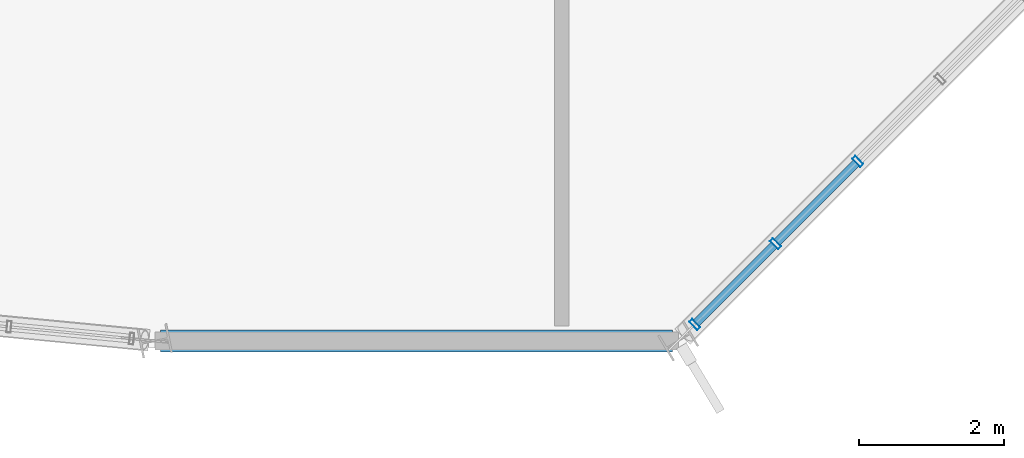
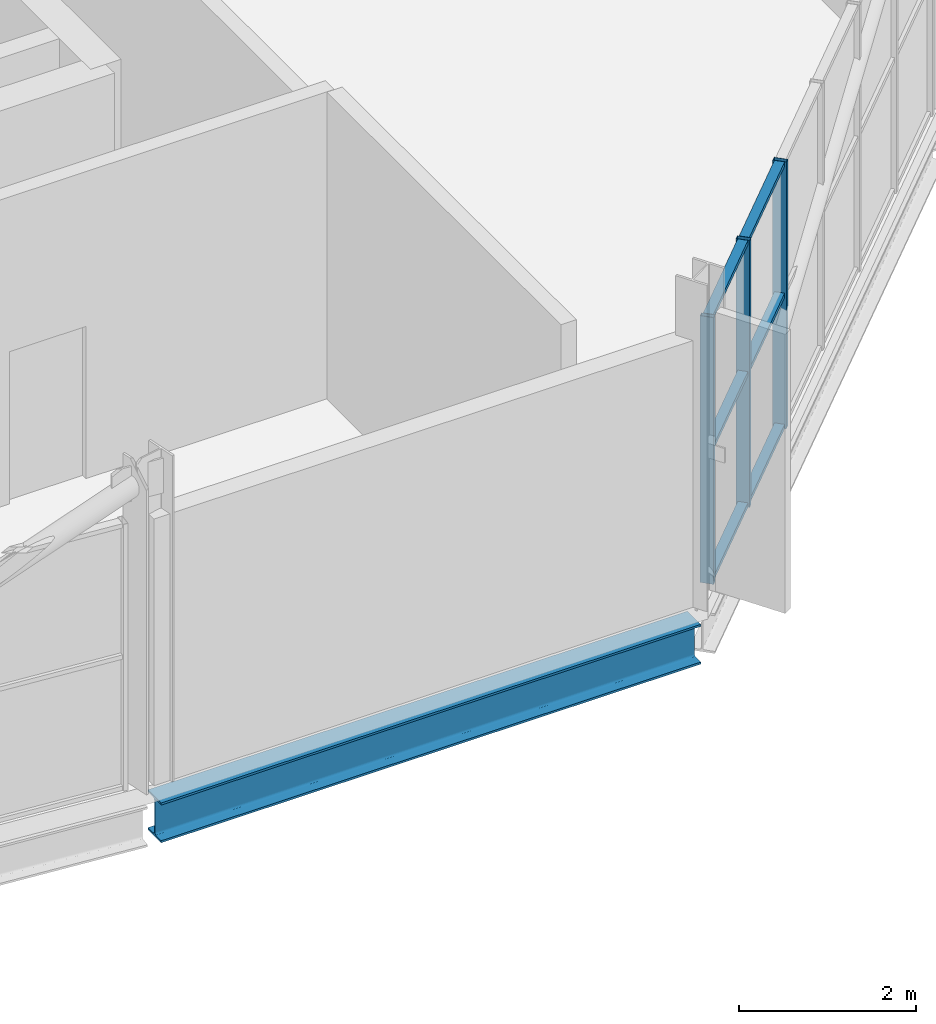
# One storey, part 6 of 22: 9 members, 1 beam, 1 element without a shape of its own.
"""IFC4 building model written with IfcOpenShell, lengths in metres."""

from ifc_helpers import new_model, si_unit, direction, frame, origin, origin_2d, place, context, subcontext, project, spatial, hollow_rectangle, i_section, extrude, material, layer, layer_set, material_profile, profile_set, type_object, element, aggregate, save


model = new_model("IFC4")

# Units and contexts
model_context = context("Model", 3, precision=1e-05, world=origin(), true_north=direction((0.0, 1.0)))
body_context = subcontext(model_context, "Body", "Model", "MODEL_VIEW")
ifc_project = project(units=[si_unit("LENGTHUNIT", "METRE"), si_unit("AREAUNIT", "SQUARE_METRE"), si_unit("VOLUMEUNIT", "CUBIC_METRE"), si_unit("PLANEANGLEUNIT", "RADIAN"), si_unit("MASSUNIT", "GRAM", prefix="KILO")], contexts=[model_context])

# Site, building, storey
site_placement = place(None, origin())
site = spatial("IfcSite", under=ifc_project, at=site_placement, CompositionType="ELEMENT")
building_placement = place(site_placement, origin())
building = spatial("IfcBuilding", under=site, at=building_placement, Name="Solnavia Interchange Tower", CompositionType="ELEMENT")
storey_placement = place(building_placement, frame((0.0, 0.0, 317.699951171875)))
storey = spatial("IfcBuildingStorey", under=building, at=storey_placement, Name="C04", CompositionType="ELEMENT", Elevation=317.699951171875)

# Curtain wall, members
ifc_material_1 = material(Name="Aluminium Alloy 6063-T6", Category="aluminium")
ifc_layer = layer(ifc_material_1, 0.179931640625)
ifc_layer_set = layer_set([ifc_layer], Name="Aluminium Alloy 6063-T6")
curtain_wall_type = type_object("IfcCurtainWallType", Name="CurtainWall-Crown-CTW6", PredefinedType="NOTDEFINED", material=ifc_layer_set)
curtain_wall_placement = place(storey_placement, origin())
curtain_wall = element("IfcCurtainWall", 1, at=curtain_wall_placement, inside=storey, type_object=curtain_wall_type, Name="CTW-C04-R15 CTW-6 curtain wall", PredefinedType="NOTDEFINED")
ifc_material_profile_1 = material_profile(ifc_material_1, hollow_rectangle(XDim=0.06005859375, YDim=0.159912109375, WallThickness=0.00390625, at=origin_2d()), Name="ALU 160x60x4")
ifc_profile_set_1 = profile_set([ifc_material_profile_1], Name="Aluminium Alloy 6063-T6")
member_type_1 = type_object("IfcMemberType", Name="CW-Mullion-CWM-6", PredefinedType="MULLION", material=ifc_profile_set_1)
member_1_placement = place(storey_placement, frame((36.22509765625, 3.8251953125, 0.0), z_axis=(0.0, 0.0, 1.0), x_axis=(0.707106781187, 0.707106781187, 0.0)))
member_1 = element("IfcMember", 2, at=member_1_placement, type_object=member_type_1, Name="CTW-6 mullion 1", PredefinedType="MULLION", context=body_context, shape_type="SweptSolid", body=[
    extrude(hollow_rectangle(XDim=0.06005859375, YDim=0.159912109375, WallThickness=0.00390625, at=origin_2d()), origin(), (0.0, 0.0, 1.0), 3.679931640625),
])
member_2_placement = place(storey_placement, frame((37.3359375, 4.93603515625, 0.0), z_axis=(0.0, 0.0, 1.0), x_axis=(0.707106781187, 0.707106781187, 0.0)))
member_2 = element("IfcMember", 3, at=member_2_placement, type_object=member_type_1, Name="CTW-6 mullion 2", PredefinedType="MULLION", context=body_context, shape_type="SweptSolid", body=[
    extrude(hollow_rectangle(XDim=0.06005859375, YDim=0.159912109375, WallThickness=0.00390625, at=origin_2d()), origin(), (0.0, 0.0, 1.0), 3.679931640625),
])
member_3_placement = place(storey_placement, frame((38.468017578125, 6.068115234375, 0.0), z_axis=(0.0, 0.0, 1.0), x_axis=(0.707106781187, 0.707106781187, 0.0)))
member_3 = element("IfcMember", 4, at=member_3_placement, type_object=member_type_1, Name="CTW-6 mullion 3", PredefinedType="MULLION", context=body_context, shape_type="SweptSolid", body=[
    extrude(hollow_rectangle(XDim=0.06005859375, YDim=0.159912109375, WallThickness=0.00390625, at=origin_2d()), origin(), (0.0, 0.0, 1.0), 3.679931640625),
])
ifc_material_profile_2 = material_profile(ifc_material_1, hollow_rectangle(XDim=0.06005859375, YDim=0.1201171875, WallThickness=0.00390625, at=origin_2d()), Name="ALU 120x60x4")
ifc_profile_set_2 = profile_set([ifc_material_profile_2], Name="Aluminium Alloy 6063-T6")
member_type_2 = type_object("IfcMemberType", Name="CW-Transom-CWT-6", PredefinedType="USERDEFINED", material=ifc_profile_set_2)
member_4_placement = place(storey_placement, frame((36.246337890625, 3.846435546875, 0.030029296875), z_axis=(0.707106781187, 0.707106781187, 0.0), x_axis=(0.0, 0.0, 1.0)))
member_4 = element("IfcMember", 5, at=member_4_placement, type_object=member_type_2, Name="CTW-6 transom 1.1", ObjectType="TRANSOM", PredefinedType="USERDEFINED", context=body_context, shape_type="SweptSolid", body=[
    extrude(hollow_rectangle(XDim=0.06005859375, YDim=0.1201171875, WallThickness=0.00390625, at=origin_2d()), origin(), (0.0, 0.0, 1.0), 1.510986328125),
])
member_5_placement = place(storey_placement, frame((36.246337890625, 3.846435546875, 1.840087890625), z_axis=(0.707106781187, 0.707106781187, 0.0), x_axis=(0.0, 0.0, 1.0)))
member_5 = element("IfcMember", 6, at=member_5_placement, type_object=member_type_2, Name="CTW-6 transom 1.2", ObjectType="TRANSOM", PredefinedType="USERDEFINED", context=body_context, shape_type="SweptSolid", body=[
    extrude(hollow_rectangle(XDim=0.06005859375, YDim=0.1201171875, WallThickness=0.00390625, at=origin_2d()), origin(), (0.0, 0.0, 1.0), 1.510986328125),
])
member_6_placement = place(storey_placement, frame((36.246337890625, 3.846435546875, 3.650146484375), z_axis=(0.707106781187, 0.707106781187, 0.0), x_axis=(0.0, 0.0, 1.0)))
member_6 = element("IfcMember", 7, at=member_6_placement, type_object=member_type_2, Name="CTW-6 transom 1.3", ObjectType="TRANSOM", PredefinedType="USERDEFINED", context=body_context, shape_type="SweptSolid", body=[
    extrude(hollow_rectangle(XDim=0.06005859375, YDim=0.1201171875, WallThickness=0.00390625, at=origin_2d()), origin(), (0.0, 0.0, 1.0), 1.510986328125),
])
member_7_placement = place(storey_placement, frame((37.357177734375, 4.957275390625, 0.030029296875), z_axis=(0.707106781187, 0.707106781187, 0.0), x_axis=(0.0, 0.0, 1.0)))
member_7 = element("IfcMember", 8, at=member_7_placement, type_object=member_type_2, Name="CTW-6 transom 2.1", ObjectType="TRANSOM", PredefinedType="USERDEFINED", context=body_context, shape_type="SweptSolid", body=[
    extrude(hollow_rectangle(XDim=0.06005859375, YDim=0.1201171875, WallThickness=0.00390625, at=origin_2d()), origin(), (0.0, 0.0, 1.0), 1.541015625),
])
member_8_placement = place(storey_placement, frame((37.357177734375, 4.957275390625, 1.840087890625), z_axis=(0.707106781187, 0.707106781187, 0.0), x_axis=(0.0, 0.0, 1.0)))
member_8 = element("IfcMember", 9, at=member_8_placement, type_object=member_type_2, Name="CTW-6 transom 2.2", ObjectType="TRANSOM", PredefinedType="USERDEFINED", context=body_context, shape_type="SweptSolid", body=[
    extrude(hollow_rectangle(XDim=0.06005859375, YDim=0.1201171875, WallThickness=0.00390625, at=origin_2d()), origin(), (0.0, 0.0, 1.0), 1.541015625),
])
member_9_placement = place(storey_placement, frame((37.357177734375, 4.957275390625, 3.650146484375), z_axis=(0.707106781187, 0.707106781187, 0.0), x_axis=(0.0, 0.0, 1.0)))
member_9 = element("IfcMember", 10, at=member_9_placement, type_object=member_type_2, Name="CTW-6 transom 2.3", ObjectType="TRANSOM", PredefinedType="USERDEFINED", context=body_context, shape_type="SweptSolid", body=[
    extrude(hollow_rectangle(XDim=0.06005859375, YDim=0.1201171875, WallThickness=0.00390625, at=origin_2d()), origin(), (0.0, 0.0, 1.0), 1.541015625),
])
aggregate(curtain_wall, [member_1, member_2, member_3, member_4, member_5, member_6, member_7, member_8, member_9])

# Beam
ifc_material_2 = material(Name="Steel S460", Category="steel")
ifc_material_profile_3 = material_profile(ifc_material_2, i_section(OverallWidth=0.300048828125, OverallDepth=0.550048828125, WebThickness=0.014892578125, FlangeThickness=0.029052734375, FilletRadius=0.027099609375, at=origin_2d()), Name="HEB 550")
ifc_profile_set_3 = profile_set([ifc_material_profile_3], Name="Steel S460")
beam_type = type_object("IfcBeamType", Name="CrownFrame-Ring-HEB550", PredefinedType="BEAM", material=ifc_profile_set_3)
beam_placement = place(storey_placement, frame((28.8798828125, 3.60009765625, -0.52490234375), z_axis=(1.0, 0.0, 0.0), x_axis=(0.0, 1.0, 0.0)))
element("IfcBeam", 11, at=beam_placement, inside=storey, type_object=beam_type, Name="GRD-C04-CR14 CROWN FRAME outer collar ring beam", PredefinedType="BEAM", context=body_context, shape_type="SweptSolid", body=[
    extrude(i_section(OverallWidth=0.300048828125, OverallDepth=0.550048828125, WebThickness=0.014892578125, FlangeThickness=0.029052734375, FilletRadius=0.027099609375, at=origin_2d()), origin(), (0.0, 0.0, 1.0), 7.0400390625),
])

save(model, "model.ifc")
